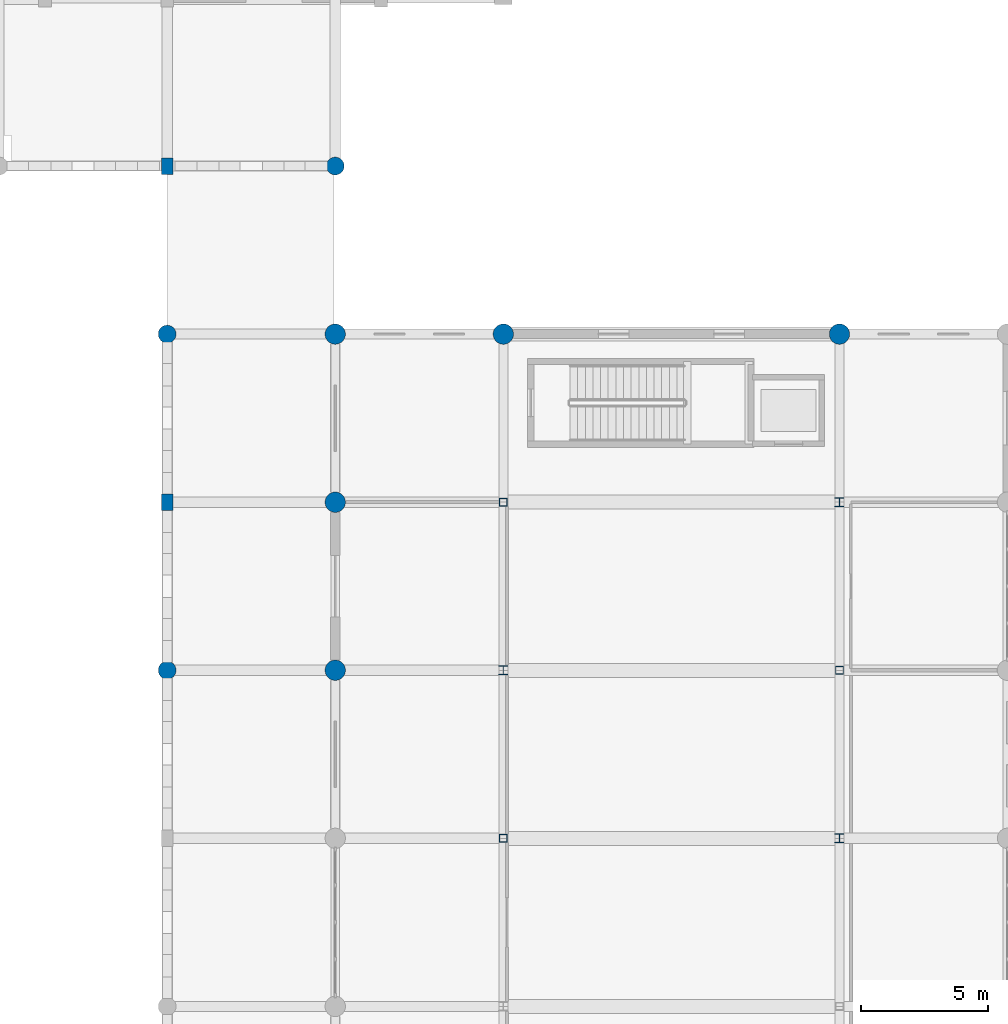
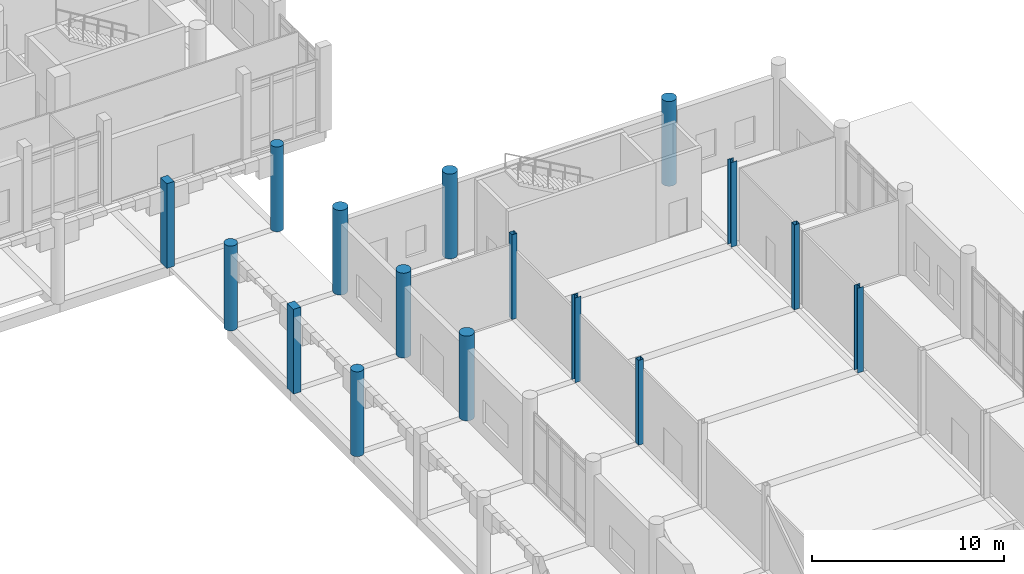
# One storey, part 4 of 72: 16 columns.
"""IFC4 building model written with IfcOpenShell, lengths in metres."""

import ifcopenshell
import ifcopenshell.guid

model = None  # the IFC model being written
_history = None  # IfcOwnerHistory: only IFC2X3 demands one
_inside = {}  # id of a spatial element -> (the spatial element, [elements in it])
_under = {}  # id of a project, library or spatial element -> (it, [spatial elements below it])
_declared = {}  # id of a project -> (the project, [libraries it declares])
_typed = {}  # id of a type object -> (the type object, [elements of that type])
_made_of = {}  # id of a material, layer set ... -> (it, [elements and type objects made of it])


def new_model(schema):
    """Start an empty IFC model of exactly this schema.

    Asked for "IFC4X3", IfcOpenShell would pick the latest addendum, in which some entities
    have other attributes; the version numbers below select the first issue.
    IFC2X3 requires an IfcOwnerHistory on every rooted entity: one is made here for all.
    """
    global model, _history
    if schema == "IFC4X3":
        model = ifcopenshell.file(schema_version=(4, 3, 0, 0))
    else:
        model = ifcopenshell.file(schema=schema)
    _inside.clear()
    _under.clear()
    _declared.clear()
    _typed.clear()
    _made_of.clear()
    _history = None
    if model.schema == "IFC2X3":
        org = make("IfcOrganization", Name="unknown")
        user = make(
            "IfcPersonAndOrganization",
            ThePerson=make("IfcPerson", FamilyName="unknown"),
            TheOrganization=org,
        )
        app = make(
            "IfcApplication",
            ApplicationDeveloper=org,
            Version="unknown",
            ApplicationFullName="unknown",
            ApplicationIdentifier="unknown",
        )
        _history = make(
            "IfcOwnerHistory",
            OwningUser=user,
            OwningApplication=app,
            ChangeAction="ADDED",
            CreationDate=0,
        )
    return model


def make(cls, **values):
    """One entity of the class cls with the attributes given. An attribute that is None is left unset."""
    return model.create_entity(
        cls, **{name: value for name, value in values.items() if value is not None}
    )


def rooted(cls, **values):
    """An entity with a GlobalId (a new one), such as an element, a storey or a relation."""
    return make(cls, GlobalId=ifcopenshell.guid.new(), OwnerHistory=_history, **values)


def si_unit(unit_type, name, prefix=None):
    """IfcSIUnit, for example si_unit("LENGTHUNIT", "METRE", prefix="MILLI")."""
    return make("IfcSIUnit", UnitType=unit_type, Prefix=prefix, Name=name)


def assignment(units):
    """IfcUnitAssignment: the units of a project."""
    return None if units is None else make("IfcUnitAssignment", Units=units)


def point(xyz):
    """IfcCartesianPoint."""
    return None if xyz is None else make("IfcCartesianPoint", Coordinates=xyz)


def direction(xyz):
    """IfcDirection."""
    return None if xyz is None else make("IfcDirection", DirectionRatios=xyz)


def frame(location, z_axis=None, x_axis=None):
    """IfcAxis2Placement3D, a coordinate frame: its origin and axes. An axis left out is left unset."""
    return make(
        "IfcAxis2Placement3D",
        Location=point(location),
        Axis=direction(z_axis),
        RefDirection=direction(x_axis),
    )


def frame_2d(location, x_axis=None):
    """IfcAxis2Placement2D, a coordinate frame in the plane: its origin and x axis."""
    return make(
        "IfcAxis2Placement2D", Location=point(location), RefDirection=direction(x_axis)
    )


def origin():
    """The frame at (0, 0, 0) with its axes left unset."""
    return frame((0.0, 0.0, 0.0))


def origin_2d():
    """The frame at (0, 0) in the plane with its x axis left unset."""
    return frame_2d((0.0, 0.0))


def place(relative_to, where):
    """IfcLocalPlacement: puts the frame where relative to a parent placement (None: the world)."""
    return make(
        "IfcLocalPlacement", PlacementRelTo=relative_to, RelativePlacement=where
    )


def context(
    kind, dimensions, precision=None, world=None, true_north=None, identifier=None
):
    """IfcGeometricRepresentationContext, for example the 3D "Model" context."""
    return make(
        "IfcGeometricRepresentationContext",
        ContextIdentifier=identifier,
        ContextType=kind,
        CoordinateSpaceDimension=dimensions,
        Precision=precision,
        WorldCoordinateSystem=world,
        TrueNorth=true_north,
    )


def subcontext(parent, identifier, kind, view, scale=None):
    """IfcGeometricRepresentationSubContext, for example "Body" below "Model"."""
    return make(
        "IfcGeometricRepresentationSubContext",
        ContextIdentifier=identifier,
        ContextType=kind,
        ParentContext=parent,
        TargetScale=scale,
        TargetView=view,
    )


def project(units=None, contexts=None):
    """IfcProject with its units and contexts."""
    return rooted(
        "IfcProject",
        Name="project",
        RepresentationContexts=contexts,
        UnitsInContext=assignment(units),
    )


def spatial(cls, under=None, at=None, **own):
    """A site, building, storey or space (cls), placed at a placement, below another one or the project."""
    s = rooted(cls, ObjectPlacement=at, **own)
    if under is not None:
        _under.setdefault(under.id(), (under, []))[1].append(s)
    return s


def profile(cls, at=None, kind="AREA", **sizes):
    """A parametric profile (cls). Its sizes go by their IFC names, for example OverallWidth=200.0."""
    return make(cls, ProfileType=kind, Position=at, **sizes)


def rectangle(**sizes):
    """IfcRectangleProfileDef."""
    return profile("IfcRectangleProfileDef", **sizes)


def hollow_rectangle(**sizes):
    """IfcRectangleHollowProfileDef."""
    return profile("IfcRectangleHollowProfileDef", **sizes)


def circle(**sizes):
    """IfcCircleProfileDef."""
    return profile("IfcCircleProfileDef", **sizes)


def i_section(**sizes):
    """IfcIShapeProfileDef."""
    return profile("IfcIShapeProfileDef", **sizes)


def extrude(swept, where, along, depth):
    """IfcExtrudedAreaSolid: the profile swept, set in the frame where, extruded along a direction by depth."""
    return make(
        "IfcExtrudedAreaSolid",
        SweptArea=swept,
        Position=where,
        ExtrudedDirection=direction(along),
        Depth=depth,
    )


def shape(context_of_items, identifier, shape_type, items):
    """IfcShapeRepresentation: the items that make up one representation, for example the "Body"."""
    return make(
        "IfcShapeRepresentation",
        ContextOfItems=context_of_items,
        RepresentationIdentifier=identifier,
        RepresentationType=shape_type,
        Items=items,
    )


def material(Name=None, Category=None):
    """IfcMaterial."""
    return make("IfcMaterial", Name=Name, Category=Category)


def material_profile(
    of_material, cross_section, Name=None, Category=None, Priority=None
):
    """IfcMaterialProfile: a cross section and its material."""
    return make(
        "IfcMaterialProfile",
        Name=Name,
        Material=of_material,
        Profile=cross_section,
        Priority=Priority,
        Category=Category,
    )


def profile_set(profiles, Name=None, composite=None):
    """IfcMaterialProfileSet."""
    return make(
        "IfcMaterialProfileSet",
        Name=Name,
        MaterialProfiles=profiles,
        CompositeProfile=composite,
    )


def made_of(thing, what):
    """Note that an element or type object is made of a material, layer set ...; save() writes the relation."""
    if what is not None:
        _made_of.setdefault(what.id(), (what, []))[1].append(thing)
    return thing


def type_object(cls, material=None, **own):
    """A type object (cls), such as IfcWallType, which elements share."""
    return made_of(rooted(cls, **own), material)


def element(
    cls,
    number,
    at=None,
    inside=None,
    cuts=None,
    type_object=None,
    material=None,
    context=None,
    identifier="Body",
    shape_type=None,
    held_by="IfcProductDefinitionShape",
    body=None,
    shapes=None,
    **own,
):
    """One element of the class cls, such as IfcWall. Its Tag is "e" and its number.

    at: its placement. inside: the storey or other place that contains it. cuts: it is an
    opening in that element (IfcRelVoidsElement). A single representation is given by context,
    identifier, shape_type and body (its items); several are given by shapes. held_by: the class
    of the entity that holds the representations. save() writes the other relations.
    """
    e = rooted(cls, Tag="e%d" % number, ObjectPlacement=at, **own)
    if body is not None:
        shapes = [shape(context, identifier, shape_type, body)]
    if shapes is not None:
        e.Representation = make(held_by, Representations=shapes)
    if inside is not None:
        _inside.setdefault(inside.id(), (inside, []))[1].append(e)
    if cuts is not None:
        rooted(
            "IfcRelVoidsElement", RelatingBuildingElement=cuts, RelatedOpeningElement=e
        )
    if type_object is not None:
        _typed.setdefault(type_object.id(), (type_object, []))[1].append(e)
    return made_of(e, material)


def aggregate(whole, parts):
    """IfcRelAggregates: a whole, such as a stair, and the parts it consists of."""
    return rooted("IfcRelAggregates", RelatingObject=whole, RelatedObjects=parts)


def save(model, path):
    """Write the relations noted so far, then the file.

    IfcRelAggregates (storeys below a building ...), IfcRelContainedInSpatialStructure (elements
    in a storey), IfcRelDefinesByType, IfcRelAssociatesMaterial and IfcRelDeclares: one each for
    every whole, place, type object, material and project.
    """
    for whole, parts in _under.values():
        aggregate(whole, parts)
    for where, things in _inside.values():
        rooted(
            "IfcRelContainedInSpatialStructure",
            RelatedElements=things,
            RelatingStructure=where,
        )
    for kind, things in _typed.values():
        rooted("IfcRelDefinesByType", RelatedObjects=things, RelatingType=kind)
    for what, things in _made_of.values():
        rooted("IfcRelAssociatesMaterial", RelatedObjects=things, RelatingMaterial=what)
    for by, libraries in _declared.values():
        rooted("IfcRelDeclares", RelatingContext=by, RelatedDefinitions=libraries)
    model.write(path)


model = new_model("IFC4")

# Units and contexts
model_context = context("Model", 3, precision=1e-05, world=origin(), true_north=direction((0.0, 1.0)))
body_context = subcontext(model_context, "Body", "Model", "MODEL_VIEW")
ifc_project = project(units=[si_unit("LENGTHUNIT", "METRE"), si_unit("AREAUNIT", "SQUARE_METRE"), si_unit("VOLUMEUNIT", "CUBIC_METRE"), si_unit("PLANEANGLEUNIT", "RADIAN"), si_unit("MASSUNIT", "GRAM", prefix="KILO")], contexts=[model_context])

# Site, building, storey
site_placement = place(None, origin())
site = spatial("IfcSite", under=ifc_project, at=site_placement, CompositionType="ELEMENT")
building_placement = place(site_placement, origin())
building = spatial("IfcBuilding", under=site, at=building_placement, Name="Dornvale Research Institute", CompositionType="ELEMENT")
storey_placement = place(building_placement, origin())
storey = spatial("IfcBuildingStorey", under=building, at=storey_placement, Name="L00", CompositionType="ELEMENT", Elevation=0.0)

# Columns
ifc_material_1 = material(Name="Concrete f'c 45 MPa (C35/45)", Category="concrete")
ifc_material_profile_1 = material_profile(ifc_material_1, circle(Radius=0.39990234375, at=origin_2d()), Name="RC DIA 800")
ifc_profile_set_1 = profile_set([ifc_material_profile_1], Name="Concrete f'c 45 MPa (C35/45)")
column_type_1 = type_object("IfcColumnType", Name="Column_RCDia800_Ext", PredefinedType="COLUMN", material=ifc_profile_set_1)
for number, where, z_axis, x_axis, name in (
    (1, (39.60009765625, 72.60009765625, 0.0), (0.0, 0.0, 1.0), (1.0, 0.0, 0.0), "L00 column #1023"),
    (2, (39.60009765625, 79.199951171875, 0.0), (0.0, 0.0, 1.0), (1.0, 0.0, 0.0), "L00 column #1024"),
    (3, (39.60009765625, 85.800048828125, 0.0), (0.0, 0.0, 1.0), (1.0, 0.0, 0.0), "L00 column #1025"),
    (4, (46.199951171875, 85.800048828125, 0.0), (0.0, 0.0, 1.0), (1.0, 0.0, 0.0), "L00 column #1033"),
    (5, (59.39990234375, 85.800048828125, 0.0), (0.0, 0.0, 1.0), (1.0, 0.0, 0.0), "L00 column #1041"),
):
    element("IfcColumn", number, at=place(storey_placement, frame(where, z_axis=z_axis, x_axis=x_axis)), inside=storey, type_object=column_type_1, Name=name, PredefinedType="COLUMN", context=body_context, shape_type="SweptSolid", body=[
        extrude(circle(Radius=0.39990234375, at=origin_2d()), origin(), (0.0, 0.0, 1.0), 5.39990234375),
    ])
ifc_material_2 = material(Name="Steel ASTM A500 Grade C", Category="steel")
ifc_material_profile_2 = material_profile(ifc_material_2, hollow_rectangle(XDim=0.304931640625, YDim=0.304931640625, WallThickness=0.01171875, at=origin_2d()), Name="HSS305X305X12.7")
ifc_profile_set_2 = profile_set([ifc_material_profile_2], Name="Steel ASTM A500 Grade C")
column_type_2 = type_object("IfcColumnType", Name="Column_Steel_HSS305", PredefinedType="COLUMN", material=ifc_profile_set_2)
for number, where, z_axis, x_axis, name in (
    (6, (46.199951171875, 66.0, 0.0), (0.0, 0.0, 1.0), (1.0, 0.0, 0.0), "L00 column #1030"),
    (7, (46.199951171875, 79.199951171875, 0.0), (0.0, 0.0, 1.0), (1.0, 0.0, 0.0), "L00 column #1032"),
    (8, (59.39990234375, 72.60009765625, 0.0), (0.0, 0.0, 1.0), (1.0, 0.0, 0.0), "L00 column #1039"),
):
    element("IfcColumn", number, at=place(storey_placement, frame(where, z_axis=z_axis, x_axis=x_axis)), inside=storey, type_object=column_type_2, Name=name, PredefinedType="COLUMN", context=body_context, shape_type="SweptSolid", body=[
        extrude(hollow_rectangle(XDim=0.304931640625, YDim=0.304931640625, WallThickness=0.01171875, at=origin_2d()), origin(), (0.0, 0.0, 1.0), 5.39990234375),
    ])
ifc_material_3 = material(Name="Steel ASTM A992 Grade 50", Category="steel")
ifc_material_profile_3 = material_profile(ifc_material_3, i_section(OverallWidth=0.35595703125, OverallDepth=0.35595703125, WebThickness=0.01123046875, FlangeThickness=0.01806640625, at=origin_2d()), Name="W14X90")
ifc_profile_set_3 = profile_set([ifc_material_profile_3], Name="Steel ASTM A992 Grade 50")
column_type_3 = type_object("IfcColumnType", Name="Column_Steel_W14X90", PredefinedType="COLUMN", material=ifc_profile_set_3)
for number, where, z_axis, x_axis, name in (
    (9, (46.199951171875, 72.60009765625, 0.0), (0.0, 0.0, 1.0), (1.0, 0.0, 0.0), "L00 column #1031"),
    (10, (59.39990234375, 66.0, 0.0), (0.0, 0.0, 1.0), (1.0, 0.0, 0.0), "L00 column #1038"),
    (11, (59.39990234375, 79.199951171875, 0.0), (0.0, 0.0, 1.0), (1.0, 0.0, 0.0), "L00 column #1040"),
):
    element("IfcColumn", number, at=place(storey_placement, frame(where, z_axis=z_axis, x_axis=x_axis)), inside=storey, type_object=column_type_3, Name=name, PredefinedType="COLUMN", context=body_context, shape_type="SweptSolid", body=[
        extrude(i_section(OverallWidth=0.35595703125, OverallDepth=0.35595703125, WebThickness=0.01123046875, FlangeThickness=0.01806640625, at=origin_2d()), origin(), (0.0, 0.0, 1.0), 5.39990234375),
    ])
ifc_material_4 = material(Name="Concrete f'c 45 MPa (C35/45)", Category="concrete")
ifc_material_profile_4 = material_profile(ifc_material_4, rectangle(XDim=0.449951171875, YDim=0.64990234375, at=origin_2d()), Name="RC 450x650")
ifc_profile_set_4 = profile_set([ifc_material_profile_4], Name="Concrete f'c 45 MPa (C35/45)")
column_type_4 = type_object("IfcColumnType", Name="Pilaster_RC450x650_Ext", PredefinedType="PILASTER", material=ifc_profile_set_4)
for number, where, z_axis, x_axis, name in (
    (12, (33.0, 92.39990234375, 0.0), (0.0, 0.0, 1.0), (1.0, 0.0, 0.0), "L00 colonnade column #1235"),
    (13, (33.0, 79.199951171875, 0.0), (0.0, 0.0, 1.0), (1.0, 0.0, 0.0), "L00 colonnade column #1251"),
):
    element("IfcColumn", number, at=place(storey_placement, frame(where, z_axis=z_axis, x_axis=x_axis)), inside=storey, type_object=column_type_4, Name=name, PredefinedType="PILASTER", context=body_context, shape_type="SweptSolid", body=[
        extrude(rectangle(XDim=0.449951171875, YDim=0.64990234375, at=origin_2d()), origin(), (0.0, 0.0, 1.0), 5.39990234375),
    ])
ifc_material_5 = material(Name="Concrete f'c 45 MPa (C35/45)", Category="concrete")
ifc_material_profile_5 = material_profile(ifc_material_5, circle(Radius=0.35009765625, at=origin_2d()), Name="RC DIA 700")
ifc_profile_set_5 = profile_set([ifc_material_profile_5], Name="Concrete f'c 45 MPa (C35/45)")
column_type_5 = type_object("IfcColumnType", Name="Pilaster_RCDia700_Arcade", PredefinedType="PILASTER", material=ifc_profile_set_5)
for number, where, z_axis, x_axis, name in (
    (14, (39.60009765625, 92.39990234375, 0.0), (0.0, 0.0, 1.0), (1.0, 0.0, 0.0), "L00 colonnade column #1237"),
    (15, (33.0, 72.60009765625, 0.0), (0.0, 0.0, 1.0), (1.0, 0.0, 0.0), "L00 colonnade column #1249"),
    (16, (33.0, 85.800048828125, 0.0), (0.0, 0.0, 1.0), (1.0, 0.0, 0.0), "L00 colonnade column #1253"),
):
    element("IfcColumn", number, at=place(storey_placement, frame(where, z_axis=z_axis, x_axis=x_axis)), inside=storey, type_object=column_type_5, Name=name, PredefinedType="PILASTER", context=body_context, shape_type="SweptSolid", body=[
        extrude(circle(Radius=0.35009765625, at=origin_2d()), origin(), (0.0, 0.0, 1.0), 5.39990234375),
    ])

save(model, "model.ifc")
